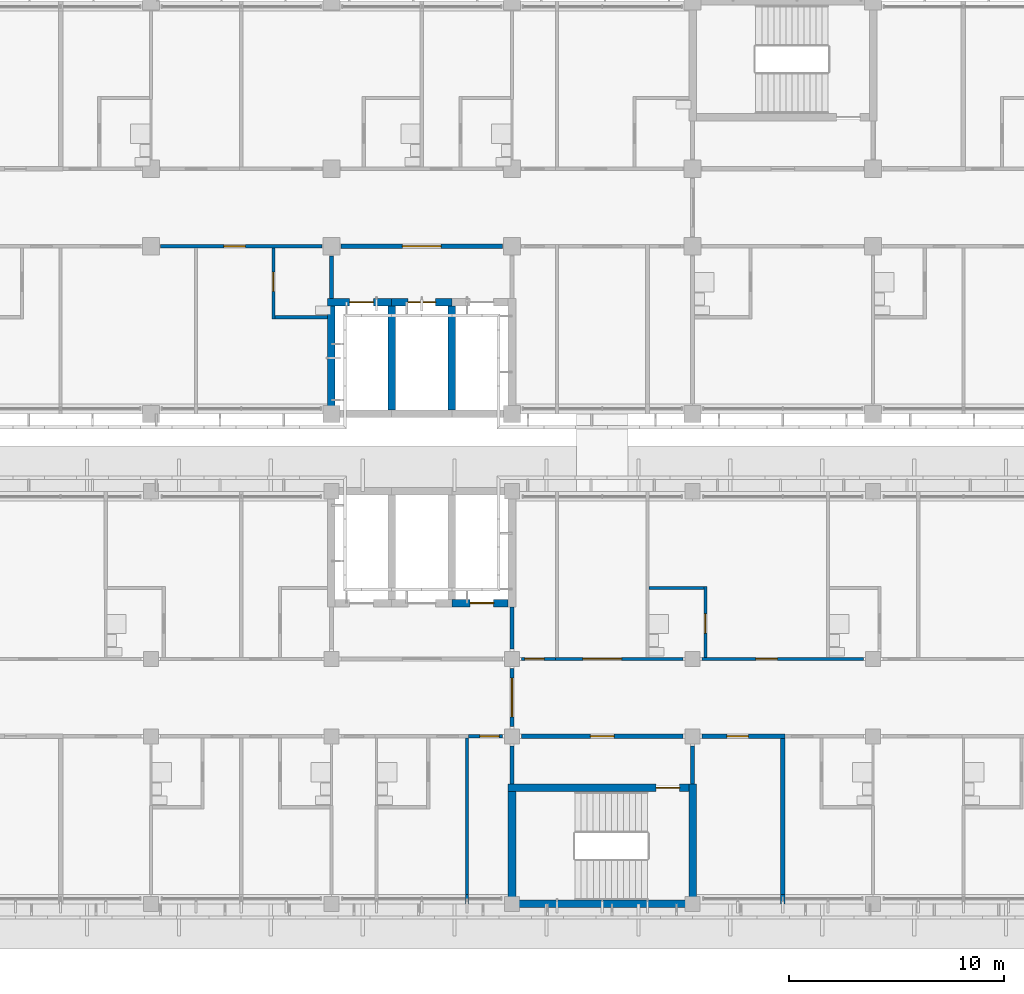
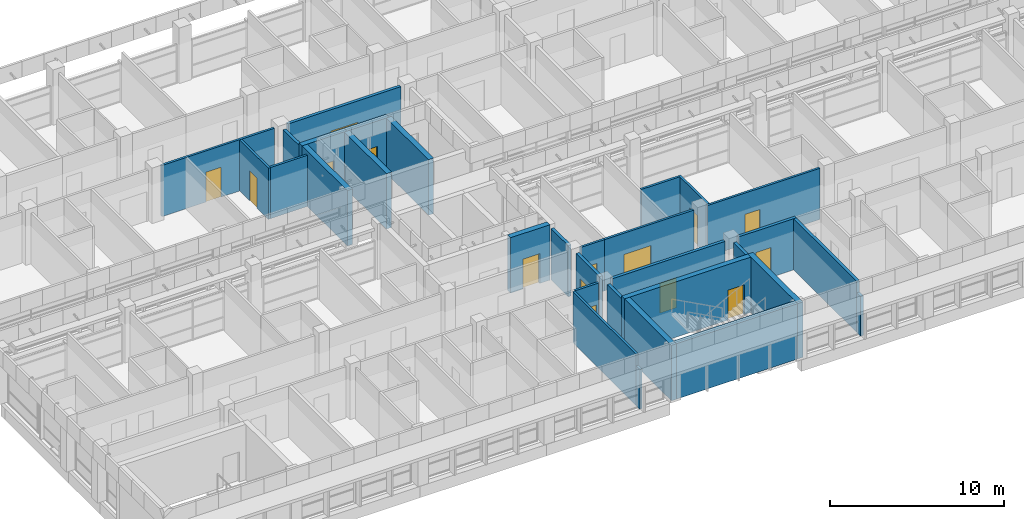
# One storey, part 29 of 71: 31 walls, 15 doors, 15 openings.
"""IFC4 building model written with IfcOpenShell, lengths in metres."""

from ifc_helpers import new_model, si_unit, direction, frame, frame_2d, origin, place, context, subcontext, project, spatial, rectangle, extrude, material, layer, layer_set, type_object, element, fill, save


model = new_model("IFC4")

# Units and contexts
model_context = context("Model", 3, precision=1e-05, world=origin(), true_north=direction((0.0, 1.0)))
body_context = subcontext(model_context, "Body", "Model", "MODEL_VIEW")
ifc_project = project(units=[si_unit("LENGTHUNIT", "METRE"), si_unit("AREAUNIT", "SQUARE_METRE"), si_unit("VOLUMEUNIT", "CUBIC_METRE"), si_unit("PLANEANGLEUNIT", "RADIAN"), si_unit("MASSUNIT", "GRAM", prefix="KILO")], contexts=[model_context])

# Site, building, storey
site_placement = place(None, origin())
site = spatial("IfcSite", under=ifc_project, at=site_placement, CompositionType="ELEMENT")
building_placement = place(site_placement, origin())
building = spatial("IfcBuilding", under=site, at=building_placement, Name="Bougainvillea Quay General Hospital", CompositionType="ELEMENT")
storey_placement = place(building_placement, frame((0.0, 0.0, 24.89990234375)))
storey = spatial("IfcBuildingStorey", under=building, at=storey_placement, Name="L05", CompositionType="ELEMENT", Elevation=24.89990234375)

# Walls
ifc_material_1 = material(Name="Gypsum board partition on steel studs, insulated", Category="steel")
ifc_layer_1 = layer(ifc_material_1, 0.14990234375)
ifc_layer_set_1 = layer_set([ifc_layer_1], Name="Gypsum board partition on steel studs, insulated")
wall_type_1 = type_object("IfcWallType", Name="Partition 150 Gypsum board partition", PredefinedType="PARTITIONING", material=ifc_layer_set_1)
wall_1_placement = place(storey_placement, frame((73.5, 117.60009765625, 0.0), z_axis=(0.0, 0.0, 1.0), x_axis=(0.0, 1.0, 0.0)))
element("IfcWall", 1, at=wall_1_placement, inside=storey, type_object=wall_type_1, Name="Partition 150 mm", PredefinedType="PARTITIONING", context=body_context, shape_type="SweptSolid", body=[
    extrude(rectangle(XDim=0.449951171875, YDim=0.14990234375, at=frame_2d((0.22509765625, 0.0))), origin(), (0.0, 0.0, 1.0), 2.780029296875),
])
wall_2_placement = place(storey_placement, frame((73.5, 118.050048828125, 0.0), z_axis=(0.0, 0.0, 1.0), x_axis=(0.0, 1.0, 0.0)))
element("IfcWall", 2, at=wall_2_placement, inside=storey, type_object=wall_type_1, Name="Partition 150 mm", PredefinedType="PARTITIONING", context=body_context, shape_type="SweptSolid", body=[
    extrude(rectangle(XDim=7.27490234375, YDim=0.14990234375, at=frame_2d((3.637451171875, 0.0))), origin(), (0.0, 0.0, 1.0), 3.60009765625),
])

# Wall, opening, door
wall_3_placement = place(storey_placement, frame((84.60009765625, 129.074951171875, 0.0), z_axis=(0.0, 0.0, 1.0), x_axis=(0.0, 1.0, 0.0)))
wall_3 = element("IfcWall", 3, at=wall_3_placement, inside=storey, type_object=wall_type_1, Name="Partition 150 mm", PredefinedType="PARTITIONING", context=body_context, shape_type="SweptSolid", body=[
    extrude(rectangle(XDim=3.300048828125, YDim=0.14990234375, at=frame_2d((1.64990234375, 0.0))), origin(), (0.0, 0.0, 1.0), 3.60009765625),
])
opening_1_placement = place(wall_3_placement, frame((1.125, 0.0, 0.0)))
opening_1 = element("IfcOpeningElement", 4, at=opening_1_placement, cuts=wall_3, Name="Opening L05.098", PredefinedType="OPENING", context=body_context, shape_type="SweptSolid", body=[
    extrude(rectangle(XDim=0.89990234375, YDim=2.10009765625, at=frame_2d((0.449951171875, 1.050048828125))), frame((0.0, 0.0849609375, 0.0), z_axis=(0.0, -1.0, 0.0), x_axis=(1.0, 0.0, 0.0)), (0.0, 0.0, 1.0), 0.169921875),
])
ifc_material_2 = material(Name="Solid-core timber door leaf in steel frame", Category="steel")
door_type_1 = type_object("IfcDoorType", Name="Single leaf door 900x2100", OperationType="NOTDEFINED", PredefinedType="DOOR", material=ifc_material_2)
door_1_placement = place(opening_1_placement, origin())
door_1 = element("IfcDoor", 5, at=door_1_placement, inside=storey, type_object=door_type_1, Name="DT07 L05.098", OperationType="SINGLE_SWING_LEFT", OverallHeight=2.10009765625, OverallWidth=0.89990234375, PredefinedType="DOOR", context=body_context, shape_type="SweptSolid", body=[
    extrude(rectangle(XDim=0.89990234375, YDim=2.10009765625, at=frame_2d((0.449951171875, 1.050048828125))), frame((0.0, 0.02490234375, 0.0), z_axis=(0.0, -1.0, 0.0), x_axis=(1.0, 0.0, 0.0)), (0.0, 0.0, 1.0), 0.050048828125),
])
fill(opening_1, door_1)

wall_4_placement = place(storey_placement, frame((64.5, 144.824951171875, 0.0), z_axis=(0.0, 0.0, 1.0), x_axis=(0.0, 1.0, 0.0)))
wall_4 = element("IfcWall", 6, at=wall_4_placement, inside=storey, type_object=wall_type_1, Name="Partition 150 mm", PredefinedType="PARTITIONING", context=body_context, shape_type="SweptSolid", body=[
    extrude(rectangle(XDim=3.300048828125, YDim=0.14990234375, at=frame_2d((1.64990234375, 0.0))), origin(), (0.0, 0.0, 1.0), 3.60009765625),
])
opening_2_placement = place(wall_4_placement, frame((1.27490234375, 0.0, 0.0)))
opening_2 = element("IfcOpeningElement", 7, at=opening_2_placement, cuts=wall_4, Name="Opening L05.010", PredefinedType="OPENING", context=body_context, shape_type="SweptSolid", body=[
    extrude(rectangle(XDim=0.89990234375, YDim=2.10009765625, at=frame_2d((0.449951171875, 1.050048828125))), frame((0.0, 0.0849609375, 0.0), z_axis=(0.0, -1.0, 0.0), x_axis=(1.0, 0.0, 0.0)), (0.0, 0.0, 1.0), 0.169921875),
])
door_2_placement = place(opening_2_placement, frame((0.89990234375, 0.0, 0.0), z_axis=(0.0, 0.0, 1.0), x_axis=(-1.0, 0.0, 0.0)))
door_2 = element("IfcDoor", 8, at=door_2_placement, inside=storey, type_object=door_type_1, Name="DT07 L05.010", OperationType="SINGLE_SWING_LEFT", OverallHeight=2.10009765625, OverallWidth=0.89990234375, PredefinedType="DOOR", context=body_context, shape_type="SweptSolid", body=[
    extrude(rectangle(XDim=0.89990234375, YDim=2.10009765625, at=frame_2d((0.449951171875, 1.050048828125))), frame((0.0, 0.02490234375, 0.0), z_axis=(0.0, -1.0, 0.0), x_axis=(1.0, 0.0, 0.0)), (0.0, 0.0, 1.0), 0.050048828125),
])
fill(opening_2, door_2)

# Walls
wall_5_placement = place(storey_placement, frame((64.574951171875, 144.89990234375, 0.0), z_axis=(0.0, 0.0, 1.0), x_axis=(1.0, 0.0, 0.0)))
element("IfcWall", 9, at=wall_5_placement, inside=storey, type_object=wall_type_1, Name="Partition 150 mm", PredefinedType="PARTITIONING", context=body_context, shape_type="SweptSolid", body=[
    extrude(rectangle(XDim=2.449951171875, YDim=0.14990234375, at=frame_2d((1.22509765625, 0.0))), origin(), (0.0, 0.0, 1.0), 3.60009765625),
])
wall_6_placement = place(storey_placement, frame((81.97509765625, 132.300048828125, 0.0), z_axis=(0.0, 0.0, 1.0), x_axis=(1.0, 0.0, 0.0)))
element("IfcWall", 10, at=wall_6_placement, inside=storey, type_object=wall_type_1, Name="Partition 150 mm", PredefinedType="PARTITIONING", context=body_context, shape_type="SweptSolid", body=[
    extrude(rectangle(XDim=2.5498046875, YDim=0.14990234375, at=frame_2d((1.27490234375, 0.0))), origin(), (0.0, 0.0, 1.0), 3.60009765625),
])

# Wall, opening, door
ifc_layer_2 = layer(ifc_material_1, 0.14990234375)
ifc_layer_set_2 = layer_set([ifc_layer_2], Name="Gypsum board partition on steel studs, insulated")
wall_type_2 = type_object("IfcWallType", Name="Partition 150 Gypsum board partition EI 30", PredefinedType="PARTITIONING", material=ifc_layer_set_2)
wall_7_placement = place(storey_placement, frame((91.949951171875, 129.0, 0.0), z_axis=(0.0, 0.0, 1.0), x_axis=(-1.0, 0.0, 0.0)))
wall_7 = element("IfcWall", 11, at=wall_7_placement, inside=storey, type_object=wall_type_2, Name="Partition 150 mm EI 30", PredefinedType="PARTITIONING", context=body_context, shape_type="SweptSolid", body=[
    extrude(rectangle(XDim=7.5, YDim=0.14990234375, at=frame_2d((3.75, 0.0))), origin(), (0.0, 0.0, 1.0), 3.60009765625),
])
opening_3_placement = place(wall_7_placement, frame((4.0, 0.0, 0.0)))
opening_3 = element("IfcOpeningElement", 12, at=opening_3_placement, cuts=wall_7, Name="Opening L05.097", PredefinedType="OPENING", context=body_context, shape_type="SweptSolid", body=[
    extrude(rectangle(XDim=1.0, YDim=2.10009765625, at=frame_2d((0.5, 1.050048828125))), frame((0.0, 0.0849609375, 0.0), z_axis=(0.0, -1.0, 0.0), x_axis=(1.0, 0.0, 0.0)), (0.0, 0.0, 1.0), 0.169921875),
])
door_type_2 = type_object("IfcDoorType", Name="Single leaf door 1000x2100 FD30S", OperationType="NOTDEFINED", PredefinedType="DOOR", material=ifc_material_2)
door_3_placement = place(opening_3_placement, frame((1.0, 0.0, 0.0), z_axis=(0.0, 0.0, 1.0), x_axis=(-1.0, 0.0, 0.0)))
door_3 = element("IfcDoor", 13, at=door_3_placement, inside=storey, type_object=door_type_2, Name="DT15 L05.097", OperationType="SINGLE_SWING_LEFT", OverallHeight=2.10009765625, OverallWidth=1.0, PredefinedType="DOOR", context=body_context, shape_type="SweptSolid", body=[
    extrude(rectangle(XDim=1.0, YDim=2.10009765625, at=frame_2d((0.5, 1.050048828125))), frame((0.0, 0.02490234375, 0.0), z_axis=(0.0, -1.0, 0.0), x_axis=(1.0, 0.0, 0.0)), (0.0, 0.0, 1.0), 0.050048828125),
])
fill(opening_3, door_3)

wall_8_placement = place(storey_placement, frame((83.550048828125, 129.0, 0.0), z_axis=(0.0, 0.0, 1.0), x_axis=(-1.0, 0.0, 0.0)))
wall_8 = element("IfcWall", 14, at=wall_8_placement, inside=storey, type_object=wall_type_2, Name="Partition 150 mm EI 30", PredefinedType="PARTITIONING", context=body_context, shape_type="SweptSolid", body=[
    extrude(rectangle(XDim=5.925048828125, YDim=0.14990234375, at=frame_2d((2.96240234375, 0.0))), origin(), (0.0, 0.0, 1.0), 3.60009765625),
])
opening_4_placement = place(wall_8_placement, frame((2.85009765625, 0.0, 0.0)))
opening_4 = element("IfcOpeningElement", 15, at=opening_4_placement, cuts=wall_8, Name="Opening L05.142", PredefinedType="OPENING", context=body_context, shape_type="SweptSolid", body=[
    extrude(rectangle(XDim=1.800048828125, YDim=2.10009765625, at=frame_2d((0.89990234375, 1.050048828125))), frame((0.0, 0.0849609375, 0.0), z_axis=(0.0, -1.0, 0.0), x_axis=(1.0, 0.0, 0.0)), (0.0, 0.0, 1.0), 0.169921875),
])
ifc_material_3 = material(Name="Solid-core timber door leaves in steel frame", Category="steel")
door_type_3 = type_object("IfcDoorType", Name="Double leaf door 1800x2100 FD30S", OperationType="DOUBLE_DOOR_SINGLE_SWING", PredefinedType="DOOR", material=ifc_material_3)
door_4_placement = place(opening_4_placement, frame((1.800048828125, 0.0, 0.0), z_axis=(0.0, 0.0, 1.0), x_axis=(-1.0, 0.0, 0.0)))
door_4 = element("IfcDoor", 16, at=door_4_placement, inside=storey, type_object=door_type_3, Name="DT17 L05.142", OperationType="DOUBLE_DOOR_SINGLE_SWING", OverallHeight=2.10009765625, OverallWidth=1.800048828125, PredefinedType="DOOR", context=body_context, shape_type="SweptSolid", body=[
    extrude(rectangle(XDim=1.800048828125, YDim=2.10009765625, at=frame_2d((0.89990234375, 1.050048828125))), frame((0.0, 0.02490234375, 0.0), z_axis=(0.0, -1.0, 0.0), x_axis=(1.0, 0.0, 0.0)), (0.0, 0.0, 1.0), 0.050048828125),
])
fill(opening_4, door_4)

wall_9_placement = place(storey_placement, frame((66.75, 148.199951171875, 0.0), z_axis=(0.0, 0.0, 1.0), x_axis=(-1.0, 0.0, 0.0)))
wall_9 = element("IfcWall", 17, at=wall_9_placement, inside=storey, type_object=wall_type_2, Name="Partition 150 mm EI 30", PredefinedType="PARTITIONING", context=body_context, shape_type="SweptSolid", body=[
    extrude(rectangle(XDim=7.5, YDim=0.14990234375, at=frame_2d((3.75, 0.0))), origin(), (0.0, 0.0, 1.0), 3.60009765625),
])
opening_5_placement = place(wall_9_placement, frame((3.550048828125, 0.0, 0.0)))
opening_5 = element("IfcOpeningElement", 18, at=opening_5_placement, cuts=wall_9, Name="Opening L05.009", PredefinedType="OPENING", context=body_context, shape_type="SweptSolid", body=[
    extrude(rectangle(XDim=1.0, YDim=2.10009765625, at=frame_2d((0.5, 1.050048828125))), frame((0.0, 0.0849609375, 0.0), z_axis=(0.0, -1.0, 0.0), x_axis=(1.0, 0.0, 0.0)), (0.0, 0.0, 1.0), 0.169921875),
])
door_5_placement = place(opening_5_placement, origin())
door_5 = element("IfcDoor", 19, at=door_5_placement, inside=storey, type_object=door_type_2, Name="DT15 L05.009", OperationType="SINGLE_SWING_RIGHT", OverallHeight=2.10009765625, OverallWidth=1.0, PredefinedType="DOOR", context=body_context, shape_type="SweptSolid", body=[
    extrude(rectangle(XDim=1.0, YDim=2.10009765625, at=frame_2d((0.5, 1.050048828125))), frame((0.0, 0.02490234375, 0.0), z_axis=(0.0, -1.0, 0.0), x_axis=(1.0, 0.0, 0.0)), (0.0, 0.0, 1.0), 0.050048828125),
])
fill(opening_5, door_5)

ifc_layer_3 = layer(ifc_material_1, 0.14990234375)
ifc_layer_set_3 = layer_set([ifc_layer_3], Name="Gypsum board partition on steel studs, insulated")
wall_type_3 = type_object("IfcWallType", Name="Partition 150 Gypsum board partition EI 60", PredefinedType="PARTITIONING", material=ifc_layer_set_3)
wall_10_placement = place(storey_placement, frame((76.050048828125, 129.0, 0.0), z_axis=(0.0, 0.0, 1.0), x_axis=(1.0, 0.0, 0.0)))
wall_10 = element("IfcWall", 20, at=wall_10_placement, inside=storey, type_object=wall_type_3, Name="Partition 150 mm EI 60", PredefinedType="PARTITIONING", context=body_context, shape_type="SweptSolid", body=[
    extrude(rectangle(XDim=1.574951171875, YDim=0.14990234375, at=frame_2d((0.78759765625, 0.0))), origin(), (0.0, 0.0, 1.0), 3.60009765625),
])
opening_6_placement = place(wall_10_placement, frame((0.14990234375, 0.0, 0.0)))
opening_6 = element("IfcOpeningElement", 21, at=opening_6_placement, cuts=wall_10, Name="Opening L05.096", PredefinedType="OPENING", context=body_context, shape_type="SweptSolid", body=[
    extrude(rectangle(XDim=0.89990234375, YDim=2.10009765625, at=frame_2d((0.449951171875, 1.050048828125))), frame((0.0, 0.0849609375, 0.0), z_axis=(0.0, -1.0, 0.0), x_axis=(1.0, 0.0, 0.0)), (0.0, 0.0, 1.0), 0.169921875),
])
door_type_4 = type_object("IfcDoorType", Name="Single leaf door 900x2100 FD60", OperationType="NOTDEFINED", PredefinedType="DOOR", material=ifc_material_2)
door_6_placement = place(opening_6_placement, origin())
door_6 = element("IfcDoor", 22, at=door_6_placement, inside=storey, type_object=door_type_4, Name="DT18 L05.096", OperationType="SINGLE_SWING_LEFT", OverallHeight=2.10009765625, OverallWidth=0.89990234375, PredefinedType="DOOR", context=body_context, shape_type="SweptSolid", body=[
    extrude(rectangle(XDim=0.89990234375, YDim=2.10009765625, at=frame_2d((0.449951171875, 1.050048828125))), frame((0.0, 0.02490234375, 0.0), z_axis=(0.0, -1.0, 0.0), x_axis=(1.0, 0.0, 0.0)), (0.0, 0.0, 1.0), 0.050048828125),
])
fill(opening_6, door_6)

wall_11_placement = place(storey_placement, frame((73.574951171875, 125.39990234375, 0.0), z_axis=(0.0, 0.0, 1.0), x_axis=(1.0, 0.0, 0.0)))
wall_11 = element("IfcWall", 23, at=wall_11_placement, inside=storey, type_object=wall_type_3, Name="Partition 150 mm EI 60", PredefinedType="PARTITIONING", context=body_context, shape_type="SweptSolid", body=[
    extrude(rectangle(XDim=1.574951171875, YDim=0.14990234375, at=frame_2d((0.78759765625, 0.0))), origin(), (0.0, 0.0, 1.0), 3.60009765625),
])
opening_7_placement = place(wall_11_placement, frame((0.52490234375, 0.0, 0.0)))
opening_7 = element("IfcOpeningElement", 24, at=opening_7_placement, cuts=wall_11, Name="Opening L05.095", PredefinedType="OPENING", context=body_context, shape_type="SweptSolid", body=[
    extrude(rectangle(XDim=0.89990234375, YDim=2.10009765625, at=frame_2d((0.449951171875, 1.050048828125))), frame((0.0, 0.0849609375, 0.0), z_axis=(0.0, -1.0, 0.0), x_axis=(1.0, 0.0, 0.0)), (0.0, 0.0, 1.0), 0.169921875),
])
door_7_placement = place(opening_7_placement, frame((0.89990234375, 0.0, 0.0), z_axis=(0.0, 0.0, 1.0), x_axis=(-1.0, 0.0, 0.0)))
door_7 = element("IfcDoor", 25, at=door_7_placement, inside=storey, type_object=door_type_4, Name="DT18 L05.095", OperationType="SINGLE_SWING_LEFT", OverallHeight=2.10009765625, OverallWidth=0.89990234375, PredefinedType="DOOR", context=body_context, shape_type="SweptSolid", body=[
    extrude(rectangle(XDim=0.89990234375, YDim=2.10009765625, at=frame_2d((0.449951171875, 1.050048828125))), frame((0.0, 0.02490234375, 0.0), z_axis=(0.0, -1.0, 0.0), x_axis=(1.0, 0.0, 0.0)), (0.0, 0.0, 1.0), 0.050048828125),
])
fill(opening_7, door_7)

# Wall
ifc_material_4 = material(Name="Fire-rated autoclaved aerated block wall, plastered")
ifc_layer_4 = layer(ifc_material_4, 0.199951171875)
ifc_layer_set_4 = layer_set([ifc_layer_4], Name="Fire-rated autoclaved aerated block wall, plastered")
wall_type_4 = type_object("IfcWallType", Name="Partition 200 Fire-rated autoclaved aerated block wall EI 120", PredefinedType="SOLIDWALL", material=ifc_layer_set_4)
wall_12_placement = place(storey_placement, frame((75.60009765625, 131.425048828125, 0.0), z_axis=(0.0, 0.0, 1.0), x_axis=(0.0, -1.0, 0.0)))
element("IfcWall", 26, at=wall_12_placement, inside=storey, type_object=wall_type_4, Name="Partition 200 mm EI 120", PredefinedType="SOLIDWALL", context=body_context, shape_type="SweptSolid", body=[
    extrude(rectangle(XDim=1.97509765625, YDim=0.199951171875, at=frame_2d((0.987548828125, 0.0))), origin(), (0.0, 0.0, 1.0), 3.60009765625),
])

# Wall, opening, door
wall_13_placement = place(storey_placement, frame((75.60009765625, 128.550048828125, 0.0), z_axis=(0.0, 0.0, 1.0), x_axis=(0.0, -1.0, 0.0)))
wall_13 = element("IfcWall", 27, at=wall_13_placement, inside=storey, type_object=wall_type_4, Name="Partition 200 mm EI 120", PredefinedType="SOLIDWALL", context=body_context, shape_type="SweptSolid", body=[
    extrude(rectangle(XDim=2.699951171875, YDim=0.199951171875, at=frame_2d((1.35009765625, 0.0))), origin(), (0.0, 0.0, 1.0), 3.60009765625),
])
opening_8_placement = place(wall_13_placement, frame((0.449951171875, 0.0, 0.0)))
opening_8 = element("IfcOpeningElement", 28, at=opening_8_placement, cuts=wall_13, Name="Opening L05.075", PredefinedType="OPENING", context=body_context, shape_type="SweptSolid", body=[
    extrude(rectangle(XDim=1.800048828125, YDim=2.10009765625, at=frame_2d((0.89990234375, 1.050048828125))), frame((0.0, 0.10986328125, 0.0), z_axis=(0.0, -1.0, 0.0), x_axis=(1.0, 0.0, 0.0)), (0.0, 0.0, 1.0), 0.219970703125),
])
ifc_material_5 = material(Name="Steel fire door leaves in steel frame", Category="steel")
door_type_5 = type_object("IfcDoorType", Name="Steel double leaf door 1800x2100 FD90", OperationType="DOUBLE_DOOR_SINGLE_SWING", PredefinedType="DOOR", material=ifc_material_5)
door_8_placement = place(opening_8_placement, origin())
door_8 = element("IfcDoor", 29, at=door_8_placement, inside=storey, type_object=door_type_5, Name="DT03 L05.075", OperationType="DOUBLE_DOOR_SINGLE_SWING", OverallHeight=2.10009765625, OverallWidth=1.800048828125, PredefinedType="DOOR", context=body_context, shape_type="SweptSolid", body=[
    extrude(rectangle(XDim=1.800048828125, YDim=2.10009765625, at=frame_2d((0.89990234375, 1.050048828125))), frame((0.0, 0.02490234375, 0.0), z_axis=(0.0, -1.0, 0.0), x_axis=(1.0, 0.0, 0.0)), (0.0, 0.0, 1.0), 0.050048828125),
])
fill(opening_8, door_8)

# Wall
wall_14_placement = place(storey_placement, frame((75.60009765625, 124.949951171875, 0.0), z_axis=(0.0, 0.0, 1.0), x_axis=(0.0, -1.0, 0.0)))
element("IfcWall", 30, at=wall_14_placement, inside=storey, type_object=wall_type_4, Name="Partition 200 mm EI 120", PredefinedType="SOLIDWALL", context=body_context, shape_type="SweptSolid", body=[
    extrude(rectangle(XDim=1.77490234375, YDim=0.199951171875, at=frame_2d((0.887451171875, 0.0))), origin(), (0.0, 0.0, 1.0), 3.60009765625),
])

# Wall, opening, door
wall_15_placement = place(storey_placement, frame((76.050048828125, 125.39990234375, 0.0), z_axis=(0.0, 0.0, 1.0), x_axis=(1.0, 0.0, 0.0)))
wall_15 = element("IfcWall", 31, at=wall_15_placement, inside=storey, type_object=wall_type_4, Name="Partition 200 mm EI 120", PredefinedType="SOLIDWALL", context=body_context, shape_type="SweptSolid", body=[
    extrude(rectangle(XDim=7.5, YDim=0.199951171875, at=frame_2d((3.75, 0.0))), origin(), (0.0, 0.0, 1.0), 3.60009765625),
])
opening_9_placement = place(wall_15_placement, frame((3.199951171875, 0.0, 0.0)))
opening_9 = element("IfcOpeningElement", 32, at=opening_9_placement, cuts=wall_15, Name="Opening L05.160", PredefinedType="OPENING", context=body_context, shape_type="SweptSolid", body=[
    extrude(rectangle(XDim=1.10009765625, YDim=2.10009765625, at=frame_2d((0.550048828125, 1.050048828125))), frame((0.0, 0.10986328125, 0.0), z_axis=(0.0, -1.0, 0.0), x_axis=(1.0, 0.0, 0.0)), (0.0, 0.0, 1.0), 0.219970703125),
])
ifc_material_6 = material(Name="Steel fire door leaf in steel frame", Category="steel")
door_type_6 = type_object("IfcDoorType", Name="Steel single leaf door 1100x2100 FD60", OperationType="NOTDEFINED", PredefinedType="DOOR", material=ifc_material_6)
door_9_placement = place(opening_9_placement, frame((1.10009765625, 0.0, 0.0), z_axis=(0.0, 0.0, 1.0), x_axis=(-1.0, 0.0, 0.0)))
door_9 = element("IfcDoor", 33, at=door_9_placement, inside=storey, type_object=door_type_6, Name="DT04 L05.160", OperationType="SINGLE_SWING_LEFT", OverallHeight=2.10009765625, OverallWidth=1.10009765625, PredefinedType="DOOR", context=body_context, shape_type="SweptSolid", body=[
    extrude(rectangle(XDim=1.10009765625, YDim=2.10009765625, at=frame_2d((0.550048828125, 1.050048828125))), frame((0.0, 0.02490234375, 0.0), z_axis=(0.0, -1.0, 0.0), x_axis=(1.0, 0.0, 0.0)), (0.0, 0.0, 1.0), 0.050048828125),
])
fill(opening_9, door_9)

wall_16_placement = place(storey_placement, frame((84.449951171875, 125.39990234375, 0.0), z_axis=(0.0, 0.0, 1.0), x_axis=(1.0, 0.0, 0.0)))
wall_16 = element("IfcWall", 34, at=wall_16_placement, inside=storey, type_object=wall_type_4, Name="Partition 200 mm EI 120", PredefinedType="SOLIDWALL", context=body_context, shape_type="SweptSolid", body=[
    extrude(rectangle(XDim=3.85009765625, YDim=0.199951171875, at=frame_2d((1.925048828125, 0.0))), origin(), (0.0, 0.0, 1.0), 3.60009765625),
])
opening_10_placement = place(wall_16_placement, frame((1.14990234375, 0.0, 0.0)))
opening_10 = element("IfcOpeningElement", 35, at=opening_10_placement, cuts=wall_16, Name="Opening L05.144", PredefinedType="OPENING", context=body_context, shape_type="SweptSolid", body=[
    extrude(rectangle(XDim=1.0, YDim=2.10009765625, at=frame_2d((0.5, 1.050048828125))), frame((0.0, 0.10986328125, 0.0), z_axis=(0.0, -1.0, 0.0), x_axis=(1.0, 0.0, 0.0)), (0.0, 0.0, 1.0), 0.219970703125),
])
door_type_7 = type_object("IfcDoorType", Name="Steel single leaf door 1000x2100 FD90", OperationType="NOTDEFINED", PredefinedType="DOOR", material=ifc_material_6)
door_10_placement = place(opening_10_placement, frame((1.0, 0.0, 0.0), z_axis=(0.0, 0.0, 1.0), x_axis=(-1.0, 0.0, 0.0)))
door_10 = element("IfcDoor", 36, at=door_10_placement, inside=storey, type_object=door_type_7, Name="DT11 L05.144", OperationType="SINGLE_SWING_RIGHT", OverallHeight=2.10009765625, OverallWidth=1.0, PredefinedType="DOOR", context=body_context, shape_type="SweptSolid", body=[
    extrude(rectangle(XDim=1.0, YDim=2.10009765625, at=frame_2d((0.5, 1.050048828125))), frame((0.0, 0.02490234375, 0.0), z_axis=(0.0, -1.0, 0.0), x_axis=(1.0, 0.0, 0.0)), (0.0, 0.0, 1.0), 0.050048828125),
])
fill(opening_10, door_10)

# Wall
wall_17_placement = place(storey_placement, frame((84.0, 123.175048828125, 0.0), z_axis=(0.0, 0.0, 1.0), x_axis=(0.0, 1.0, 0.0)))
element("IfcWall", 37, at=wall_17_placement, inside=storey, type_object=wall_type_4, Name="Partition 200 mm EI 120", PredefinedType="SOLIDWALL", context=body_context, shape_type="SweptSolid", body=[
    extrude(rectangle(XDim=1.77490234375, YDim=0.199951171875, at=frame_2d((0.887451171875, 0.0))), origin(), (0.0, 0.0, 1.0), 3.60009765625),
])

# Wall, opening, door
wall_18_placement = place(storey_placement, frame((67.64990234375, 148.199951171875, 0.0), z_axis=(0.0, 0.0, 1.0), x_axis=(1.0, 0.0, 0.0)))
wall_18 = element("IfcWall", 38, at=wall_18_placement, inside=storey, type_object=wall_type_4, Name="Partition 200 mm EI 120", PredefinedType="SOLIDWALL", context=body_context, shape_type="SweptSolid", body=[
    extrude(rectangle(XDim=7.5, YDim=0.199951171875, at=frame_2d((3.75, 0.0))), origin(), (0.0, 0.0, 1.0), 3.60009765625),
])
opening_11_placement = place(wall_18_placement, frame((2.85009765625, 0.0, 0.0)))
opening_11 = element("IfcOpeningElement", 39, at=opening_11_placement, cuts=wall_18, Name="Opening L05.072", PredefinedType="OPENING", context=body_context, shape_type="SweptSolid", body=[
    extrude(rectangle(XDim=1.800048828125, YDim=2.10009765625, at=frame_2d((0.89990234375, 1.050048828125))), frame((0.0, 0.10986328125, 0.0), z_axis=(0.0, -1.0, 0.0), x_axis=(1.0, 0.0, 0.0)), (0.0, 0.0, 1.0), 0.219970703125),
])
door_type_8 = type_object("IfcDoorType", Name="Steel double leaf door 1800x2100 FD60", OperationType="DOUBLE_DOOR_SINGLE_SWING", PredefinedType="DOOR", material=ifc_material_5)
door_11_placement = place(opening_11_placement, frame((1.800048828125, 0.0, 0.0), z_axis=(0.0, 0.0, 1.0), x_axis=(-1.0, 0.0, 0.0)))
door_11 = element("IfcDoor", 40, at=door_11_placement, inside=storey, type_object=door_type_8, Name="DT05 L05.072", OperationType="DOUBLE_DOOR_SINGLE_SWING", OverallHeight=2.10009765625, OverallWidth=1.800048828125, PredefinedType="DOOR", context=body_context, shape_type="SweptSolid", body=[
    extrude(rectangle(XDim=1.800048828125, YDim=2.10009765625, at=frame_2d((0.89990234375, 1.050048828125))), frame((0.0, 0.02490234375, 0.0), z_axis=(0.0, -1.0, 0.0), x_axis=(1.0, 0.0, 0.0)), (0.0, 0.0, 1.0), 0.050048828125),
])
fill(opening_11, door_11)

# Walls
wall_19_placement = place(storey_placement, frame((88.199951171875, 117.60009765625, 0.0), z_axis=(0.0, 0.0, 1.0), x_axis=(0.0, 1.0, 0.0)))
element("IfcWall", 41, at=wall_19_placement, inside=storey, type_object=wall_type_4, Name="Partition 200 mm EI 120", PredefinedType="SOLIDWALL", context=body_context, shape_type="SweptSolid", body=[
    extrude(rectangle(XDim=0.449951171875, YDim=0.199951171875, at=frame_2d((0.22509765625, 0.0))), origin(), (0.0, 0.0, 1.0), 2.780029296875),
])
wall_20_placement = place(storey_placement, frame((88.199951171875, 118.050048828125, 0.0), z_axis=(0.0, 0.0, 1.0), x_axis=(0.0, 1.0, 0.0)))
element("IfcWall", 42, at=wall_20_placement, inside=storey, type_object=wall_type_4, Name="Partition 200 mm EI 120", PredefinedType="SOLIDWALL", context=body_context, shape_type="SweptSolid", body=[
    extrude(rectangle(XDim=7.25, YDim=0.199951171875, at=frame_2d((3.625, 0.0))), origin(), (0.0, 0.0, 1.0), 3.60009765625),
])
wall_21_placement = place(storey_placement, frame((67.199951171875, 145.77490234375, 0.0), z_axis=(0.0, 0.0, 1.0), x_axis=(0.0, 1.0, 0.0)))
element("IfcWall", 43, at=wall_21_placement, inside=storey, type_object=wall_type_4, Name="Partition 200 mm EI 120", PredefinedType="SOLIDWALL", context=body_context, shape_type="SweptSolid", body=[
    extrude(rectangle(XDim=1.97509765625, YDim=0.199951171875, at=frame_2d((0.987548828125, 0.0))), origin(), (0.0, 0.0, 1.0), 3.60009765625),
])

# Wall, opening, door
ifc_material_7 = material(Name="Concrete C40", Category="concrete")
ifc_layer_5 = layer(ifc_material_7, 0.35009765625)
ifc_layer_set_5 = layer_set([ifc_layer_5], Name="Concrete C40")
wall_type_5 = type_object("IfcWallType", Name="RC SHEAR WALL 350 C40", PredefinedType="SHEAR", material=ifc_layer_set_5)
wall_22_placement = place(storey_placement, frame((67.02490234375, 145.60009765625, 0.0), z_axis=(0.0, 0.0, 1.0), x_axis=(1.0, 0.0, 0.0)))
wall_22 = element("IfcWall", 44, at=wall_22_placement, inside=storey, type_object=wall_type_5, Name="Shear wall L05", PredefinedType="SHEAR", context=body_context, shape_type="SweptSolid", body=[
    extrude(rectangle(XDim=2.97509765625, YDim=0.35009765625, at=frame_2d((1.487548828125, 0.0))), origin(), (0.0, 0.0, 1.0), 3.900146484375),
])
opening_12_placement = place(wall_22_placement, frame((1.02490234375, 0.0, 0.0)))
opening_12 = element("IfcOpeningElement", 45, at=opening_12_placement, cuts=wall_22, Name="Opening LD-A1.1-L05", PredefinedType="OPENING", context=body_context, shape_type="SweptSolid", body=[
    extrude(rectangle(XDim=1.10009765625, YDim=2.10009765625, at=frame_2d((0.550048828125, 1.050048828125))), frame((0.0, 0.18505859375, 0.0), z_axis=(0.0, -1.0, 0.0), x_axis=(1.0, 0.0, 0.0)), (0.0, 0.0, 1.0), 0.3701171875),
])
ifc_material_8 = material(Name="Stainless steel centre-opening landing door", Category="steel")
door_type_9 = type_object("IfcDoorType", Name="Lift landing door 1100x2100 E 120", OperationType="DOUBLE_DOOR_SLIDING", PredefinedType="DOOR", material=ifc_material_8)
door_12_placement = place(opening_12_placement, origin())
door_12 = element("IfcDoor", 46, at=door_12_placement, inside=storey, type_object=door_type_9, Name="Lift landing door LB-A1-1 L05", OperationType="DOUBLE_DOOR_SLIDING", OverallHeight=2.10009765625, OverallWidth=1.10009765625, PredefinedType="DOOR", context=body_context, shape_type="SweptSolid", body=[
    extrude(rectangle(XDim=1.10009765625, YDim=2.10009765625, at=frame_2d((0.550048828125, 1.050048828125))), frame((0.0, 0.02490234375, 0.0), z_axis=(0.0, -1.0, 0.0), x_axis=(1.0, 0.0, 0.0)), (0.0, 0.0, 1.0), 0.050048828125),
])
fill(opening_12, door_12)

# Walls
wall_23_placement = place(storey_placement, frame((67.199951171875, 140.22509765625, 0.0), z_axis=(0.0, 0.0, 1.0), x_axis=(0.0, 1.0, 0.0)))
element("IfcWall", 47, at=wall_23_placement, inside=storey, type_object=wall_type_5, Name="Shear wall L05", PredefinedType="SHEAR", context=body_context, shape_type="SweptSolid", body=[
    extrude(rectangle(XDim=5.199951171875, YDim=0.35009765625, at=frame_2d((2.60009765625, 0.0))), origin(), (0.0, 0.0, 1.0), 3.900146484375),
])
wall_24_placement = place(storey_placement, frame((70.0, 140.574951171875, 0.0), z_axis=(0.0, 0.0, 1.0), x_axis=(0.0, 1.0, 0.0)))
element("IfcWall", 48, at=wall_24_placement, inside=storey, type_object=wall_type_5, Name="Shear wall L05", PredefinedType="SHEAR", context=body_context, shape_type="SweptSolid", body=[
    extrude(rectangle(XDim=4.85009765625, YDim=0.35009765625, at=frame_2d((2.425048828125, 0.0))), origin(), (0.0, 0.0, 1.0), 3.900146484375),
])

# Wall, opening, door
wall_25_placement = place(storey_placement, frame((70.0, 145.60009765625, 0.0), z_axis=(0.0, 0.0, 1.0), x_axis=(1.0, 0.0, 0.0)))
wall_25 = element("IfcWall", 49, at=wall_25_placement, inside=storey, type_object=wall_type_5, Name="Shear wall L05", PredefinedType="SHEAR", context=body_context, shape_type="SweptSolid", body=[
    extrude(rectangle(XDim=2.800048828125, YDim=0.35009765625, at=frame_2d((1.39990234375, 0.0))), origin(), (0.0, 0.0, 1.0), 3.900146484375),
])
opening_13_placement = place(wall_25_placement, frame((0.75, 0.0, 0.0)))
opening_13 = element("IfcOpeningElement", 50, at=opening_13_placement, cuts=wall_25, Name="Opening LD-A1.2-L05", PredefinedType="OPENING", context=body_context, shape_type="SweptSolid", body=[
    extrude(rectangle(XDim=1.300048828125, YDim=2.10009765625, at=frame_2d((0.64990234375, 1.050048828125))), frame((0.0, 0.18505859375, 0.0), z_axis=(0.0, -1.0, 0.0), x_axis=(1.0, 0.0, 0.0)), (0.0, 0.0, 1.0), 0.3701171875),
])
door_type_10 = type_object("IfcDoorType", Name="Lift landing door 1300x2100 E 120", OperationType="DOUBLE_DOOR_SLIDING", PredefinedType="DOOR", material=ifc_material_8)
door_13_placement = place(opening_13_placement, origin())
door_13 = element("IfcDoor", 51, at=door_13_placement, inside=storey, type_object=door_type_10, Name="Lift landing door LB-A1-2 L05", OperationType="DOUBLE_DOOR_SLIDING", OverallHeight=2.10009765625, OverallWidth=1.300048828125, PredefinedType="DOOR", context=body_context, shape_type="SweptSolid", body=[
    extrude(rectangle(XDim=1.300048828125, YDim=2.10009765625, at=frame_2d((0.64990234375, 1.050048828125))), frame((0.0, 0.02490234375, 0.0), z_axis=(0.0, -1.0, 0.0), x_axis=(1.0, 0.0, 0.0)), (0.0, 0.0, 1.0), 0.050048828125),
])
fill(opening_13, door_13)

wall_26_placement = place(storey_placement, frame((72.800048828125, 131.60009765625, 0.0), z_axis=(0.0, 0.0, 1.0), x_axis=(1.0, 0.0, 0.0)))
wall_26 = element("IfcWall", 52, at=wall_26_placement, inside=storey, type_object=wall_type_5, Name="Shear wall L05", PredefinedType="SHEAR", context=body_context, shape_type="SweptSolid", body=[
    extrude(rectangle(XDim=2.625, YDim=0.35009765625, at=frame_2d((1.3125, 0.0))), origin(), (0.0, 0.0, 1.0), 3.900146484375),
])
opening_14_placement = place(wall_26_placement, frame((0.85009765625, 0.0, 0.0)))
opening_14 = element("IfcOpeningElement", 53, at=opening_14_placement, cuts=wall_26, Name="Opening LD-B1.3-L05", PredefinedType="OPENING", context=body_context, shape_type="SweptSolid", body=[
    extrude(rectangle(XDim=1.10009765625, YDim=2.10009765625, at=frame_2d((0.550048828125, 1.050048828125))), frame((0.0, 0.18505859375, 0.0), z_axis=(0.0, -1.0, 0.0), x_axis=(1.0, 0.0, 0.0)), (0.0, 0.0, 1.0), 0.3701171875),
])
door_14_placement = place(opening_14_placement, origin())
door_14 = element("IfcDoor", 54, at=door_14_placement, inside=storey, type_object=door_type_9, Name="Lift landing door LB-B1-3 L05", OperationType="DOUBLE_DOOR_SLIDING", OverallHeight=2.10009765625, OverallWidth=1.10009765625, PredefinedType="DOOR", context=body_context, shape_type="SweptSolid", body=[
    extrude(rectangle(XDim=1.10009765625, YDim=2.10009765625, at=frame_2d((0.550048828125, 1.050048828125))), frame((0.0, 0.02490234375, 0.0), z_axis=(0.0, -1.0, 0.0), x_axis=(1.0, 0.0, 0.0)), (0.0, 0.0, 1.0), 0.050048828125),
])
fill(opening_14, door_14)

# Wall
wall_27_placement = place(storey_placement, frame((72.800048828125, 140.574951171875, 0.0), z_axis=(0.0, 0.0, 1.0), x_axis=(0.0, 1.0, 0.0)))
element("IfcWall", 55, at=wall_27_placement, inside=storey, type_object=wall_type_5, Name="Shear wall L05", PredefinedType="SHEAR", context=body_context, shape_type="SweptSolid", body=[
    extrude(rectangle(XDim=4.85009765625, YDim=0.35009765625, at=frame_2d((2.425048828125, 0.0))), origin(), (0.0, 0.0, 1.0), 3.900146484375),
])

# Wall, opening, door
wall_28_placement = place(storey_placement, frame((75.425048828125, 123.0, 0.0), z_axis=(0.0, 0.0, 1.0), x_axis=(1.0, 0.0, 0.0)))
wall_28 = element("IfcWall", 56, at=wall_28_placement, inside=storey, type_object=wall_type_5, Name="Shear wall L05", PredefinedType="SHEAR", context=body_context, shape_type="SweptSolid", body=[
    extrude(rectangle(XDim=8.39990234375, YDim=0.35009765625, at=frame_2d((4.199951171875, 0.0))), origin(), (0.0, 0.0, 1.0), 3.900146484375),
])
opening_15_placement = place(wall_28_placement, frame((6.875, 0.0, 0.0)))
opening_15 = element("IfcOpeningElement", 57, at=opening_15_placement, cuts=wall_28, Name="Opening L05.159", PredefinedType="OPENING", context=body_context, shape_type="SweptSolid", body=[
    extrude(rectangle(XDim=1.10009765625, YDim=2.10009765625, at=frame_2d((0.550048828125, 1.050048828125))), frame((0.0, 0.18505859375, 0.0), z_axis=(0.0, -1.0, 0.0), x_axis=(1.0, 0.0, 0.0)), (0.0, 0.0, 1.0), 0.3701171875),
])
door_15_placement = place(opening_15_placement, frame((1.10009765625, 0.0, 0.0), z_axis=(0.0, 0.0, 1.0), x_axis=(-1.0, 0.0, 0.0)))
door_15 = element("IfcDoor", 58, at=door_15_placement, inside=storey, type_object=door_type_6, Name="DT04 L05.159", OperationType="SINGLE_SWING_LEFT", OverallHeight=2.10009765625, OverallWidth=1.10009765625, PredefinedType="DOOR", context=body_context, shape_type="SweptSolid", body=[
    extrude(rectangle(XDim=1.10009765625, YDim=2.10009765625, at=frame_2d((0.550048828125, 1.050048828125))), frame((0.0, 0.02490234375, 0.0), z_axis=(0.0, -1.0, 0.0), x_axis=(1.0, 0.0, 0.0)), (0.0, 0.0, 1.0), 0.050048828125),
])
fill(opening_15, door_15)

# Walls
wall_29_placement = place(storey_placement, frame((75.60009765625, 117.425048828125, 0.0), z_axis=(0.0, 0.0, 1.0), x_axis=(0.0, 1.0, 0.0)))
element("IfcWall", 59, at=wall_29_placement, inside=storey, type_object=wall_type_5, Name="Shear wall L05", PredefinedType="SHEAR", context=body_context, shape_type="SweptSolid", body=[
    extrude(rectangle(XDim=5.39990234375, YDim=0.35009765625, at=frame_2d((2.699951171875, 0.0))), origin(), (0.0, 0.0, 1.0), 3.900146484375),
])
wall_30_placement = place(storey_placement, frame((75.77490234375, 117.60009765625, 0.0), z_axis=(0.0, 0.0, 1.0), x_axis=(1.0, 0.0, 0.0)))
element("IfcWall", 60, at=wall_30_placement, inside=storey, type_object=wall_type_5, Name="Shear wall L05", PredefinedType="SHEAR", context=body_context, shape_type="SweptSolid", body=[
    extrude(rectangle(XDim=8.050048828125, YDim=0.35009765625, at=frame_2d((4.02490234375, 0.0))), origin(), (0.0, 0.0, 1.0), 3.900146484375),
])
wall_31_placement = place(storey_placement, frame((84.0, 117.425048828125, 0.0), z_axis=(0.0, 0.0, 1.0), x_axis=(0.0, 1.0, 0.0)))
element("IfcWall", 61, at=wall_31_placement, inside=storey, type_object=wall_type_5, Name="Shear wall L05", PredefinedType="SHEAR", context=body_context, shape_type="SweptSolid", body=[
    extrude(rectangle(XDim=5.75, YDim=0.35009765625, at=frame_2d((2.875, 0.0))), origin(), (0.0, 0.0, 1.0), 3.900146484375),
])

save(model, "model.ifc")
